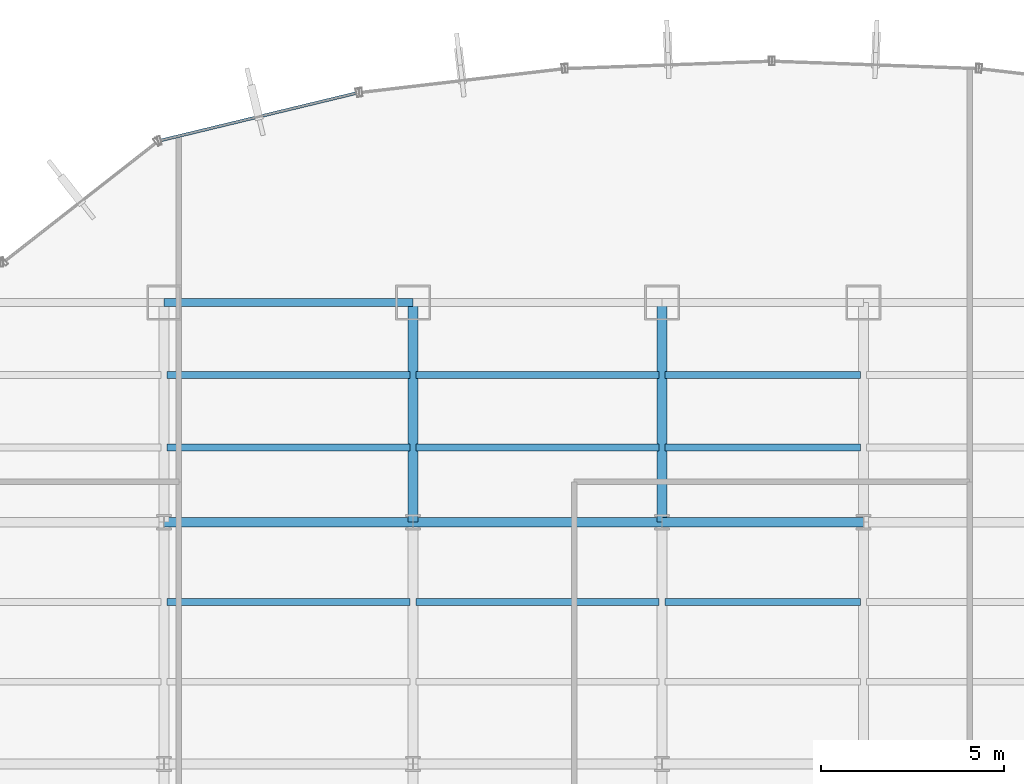
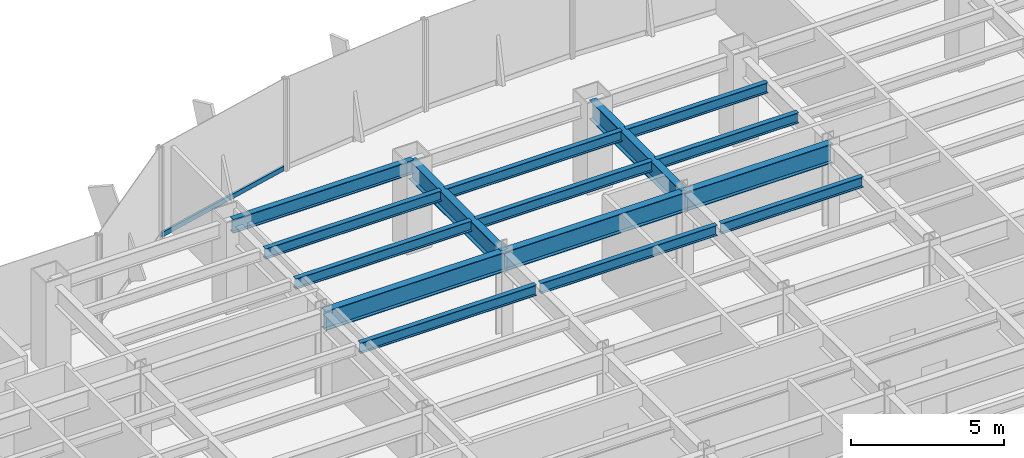
# One storey, part 11 of 22: 15 beams, 1 member, 1 element without a shape of its own.
"""IFC4 building model written with IfcOpenShell, lengths in metres."""

from ifc_helpers import new_model, si_unit, derived_unit, direction, frame, origin, origin_2d, place, context, subcontext, project, spatial, hollow_rectangle, i_section, extrude, source, transform, mapped, material, material_profile, profile_set, type_object, element, aggregate, save


model = new_model("IFC4")

# Units and contexts
model_context = context("Model", 3, precision=1e-05, world=origin(), true_north=direction((0.0, 1.0)))
body_context = subcontext(model_context, "Body", "Model", "MODEL_VIEW")
ifc_project = project(units=[si_unit("LENGTHUNIT", "METRE"), si_unit("AREAUNIT", "SQUARE_METRE"), si_unit("VOLUMEUNIT", "CUBIC_METRE"), si_unit("PLANEANGLEUNIT", "RADIAN"), si_unit("MASSUNIT", "GRAM", prefix="KILO"), derived_unit("THERMALTRANSMITTANCEUNIT", [(si_unit("POWERUNIT", "WATT"), 1), (si_unit("LENGTHUNIT", "METRE"), -2), (si_unit("THERMODYNAMICTEMPERATUREUNIT", "KELVIN"), -1)])], contexts=[model_context])

# Site, building, storey
site_placement = place(None, origin())
site = spatial("IfcSite", under=ifc_project, at=site_placement, CompositionType="ELEMENT")
building_placement = place(site_placement, origin())
building = spatial("IfcBuilding", under=site, at=building_placement, Name="Skarnbrae Concourse Arena and Tower", CompositionType="ELEMENT")
storey_placement = place(building_placement, frame((0.0, 0.0, 32.5)))
storey = spatial("IfcBuildingStorey", under=building, at=storey_placement, Name="L06", CompositionType="ELEMENT", Elevation=32.5)

# Beams
ifc_material_1 = material(Name="Steel CSA G40.21 350W", Category="steel")
ifc_material_profile_1 = material_profile(ifc_material_1, i_section(OverallWidth=0.26806640625, OverallDepth=0.77001953125, WebThickness=0.015625, FlangeThickness=0.025390625, at=origin_2d()), Name="W760X196")
ifc_profile_set_1 = profile_set([ifc_material_profile_1], Name="Steel CSA G40.21 350W")
beam_type_1 = type_object("IfcBeamType", Name="BM-GIRD-W760X196", PredefinedType="BEAM", material=ifc_profile_set_1)
shared_shape_1 = source(origin(), body_context, "Body", "SweptSolid", [
    extrude(i_section(OverallWidth=0.26806640625, OverallDepth=0.77001953125, WebThickness=0.015625, FlangeThickness=0.025390625, at=origin_2d()), origin(), (0.0, 0.0, 1.0), 6.800048828125),
])
for number, where, z_axis, x_axis, name in (
    (1, (14.39990234375, 34.39990234375, 3.014892578125), (1.0, 0.0, 0.0), (0.0, 1.0, 0.0), "L06 Primary E-W girder Y34.4-3"),
    (2, (21.199951171875, 34.39990234375, 3.014892578125), (1.0, 0.0, 0.0), (0.0, 1.0, 0.0), "L06 Primary E-W girder Y34.4-4"),
):
    element("IfcBeam", number, at=place(storey_placement, frame(where, z_axis=z_axis, x_axis=x_axis)), inside=storey, type_object=beam_type_1, Name=name, PredefinedType="BEAM", context=body_context, shape_type="MappedRepresentation", body=[
        mapped(shared_shape_1, transform((0.0, 0.0, 0.0))),
    ])
shared_shape_2 = source(origin(), body_context, "Body", "SweptSolid", [
    extrude(i_section(OverallWidth=0.26806640625, OverallDepth=0.77001953125, WebThickness=0.015625, FlangeThickness=0.025390625, at=origin_2d()), origin(), (0.0, 0.0, 1.0), 5.5),
])
beam_1_placement = place(storey_placement, frame((28.0, 34.39990234375, 3.014892578125), z_axis=(1.0, 0.0, 0.0), x_axis=(0.0, 1.0, 0.0)))
element("IfcBeam", 3, at=beam_1_placement, inside=storey, type_object=beam_type_1, Name="L06 Primary E-W girder Y34.4-5", PredefinedType="BEAM", context=body_context, shape_type="MappedRepresentation", body=[
    mapped(shared_shape_2, transform((0.0, 0.0, 0.0))),
])
shared_shape_3 = source(origin(), body_context, "Body", "SweptSolid", [
    extrude(i_section(OverallWidth=0.26806640625, OverallDepth=0.77001953125, WebThickness=0.015625, FlangeThickness=0.025390625, at=origin_2d()), origin(), (0.0, 0.0, 1.0), 6.0),
])
for number, where, z_axis, x_axis, name in (
    (4, (21.199951171875, 34.39990234375, 3.014892578125), (0.0, 1.0, 0.0), (-1.0, 0.0, 0.0), "L06 Primary N-S girder X21.2-4"),
    (5, (28.0, 34.39990234375, 3.014892578125), (0.0, 1.0, 0.0), (-1.0, 0.0, 0.0), "L06 Primary N-S girder X28.0-4"),
):
    element("IfcBeam", number, at=place(storey_placement, frame(where, z_axis=z_axis, x_axis=x_axis)), inside=storey, type_object=beam_type_1, Name=name, PredefinedType="BEAM", context=body_context, shape_type="MappedRepresentation", body=[
        mapped(shared_shape_3, transform((0.0, 0.0, 0.0))),
    ])
ifc_material_profile_2 = material_profile(ifc_material_1, i_section(OverallWidth=0.214111328125, OverallDepth=0.549072265625, WebThickness=0.0146484375, FlangeThickness=0.023681640625, at=origin_2d()), Name="W530X138")
ifc_profile_set_2 = profile_set([ifc_material_profile_2], Name="Steel CSA G40.21 350W")
beam_type_2 = type_object("IfcBeamType", Name="BM-SPAN-W530X138", PredefinedType="SPANDREL", material=ifc_profile_set_2)
shared_shape_4 = source(origin(), body_context, "Body", "SweptSolid", [
    extrude(i_section(OverallWidth=0.214111328125, OverallDepth=0.549072265625, WebThickness=0.0146484375, FlangeThickness=0.023681640625, at=origin_2d()), origin(), (0.0, 0.0, 1.0), 6.800048828125),
])
beam_2_placement = place(storey_placement, frame((14.39990234375, 40.39990234375, 3.12548828125), z_axis=(1.0, 0.0, 0.0), x_axis=(0.0, 1.0, 0.0)))
element("IfcBeam", 6, at=beam_2_placement, inside=storey, type_object=beam_type_2, Name="L06 Perimeter spandrel Y40.4-2", PredefinedType="SPANDREL", context=body_context, shape_type="MappedRepresentation", body=[
    mapped(shared_shape_4, transform((0.0, 0.0, 0.0))),
])
ifc_material_profile_3 = material_profile(ifc_material_1, i_section(OverallWidth=0.180908203125, OverallDepth=0.4169921875, WebThickness=0.010986328125, FlangeThickness=0.018310546875, at=origin_2d()), Name="W410X85")
ifc_profile_set_3 = profile_set([ifc_material_profile_3], Name="Steel CSA G40.21 350W")
beam_type_3 = type_object("IfcBeamType", Name="BM-JOIST-W410X85", PredefinedType="JOIST", material=ifc_profile_set_3)
shared_shape_5 = source(origin(), body_context, "Body", "SweptSolid", [
    extrude(i_section(OverallWidth=0.180908203125, OverallDepth=0.4169921875, WebThickness=0.010986328125, FlangeThickness=0.018310546875, at=origin_2d()), origin(), (0.0, 0.0, 1.0), 6.64013671875),
])
for number, where, z_axis, x_axis, name in (
    (7, (14.47998046875, 32.221923828125, 3.19140625), (1.0, 0.0, 0.0), (0.0, 1.0, 0.0), "L06 Secondary floor joist 3.2.3"),
    (8, (14.47998046875, 36.43994140625, 3.19140625), (1.0, 0.0, 0.0), (0.0, 1.0, 0.0), "L06 Secondary floor joist 4.1.2"),
    (9, (14.47998046875, 38.419921875, 3.19140625), (1.0, 0.0, 0.0), (0.0, 1.0, 0.0), "L06 Secondary floor joist 4.2.2"),
):
    element("IfcBeam", number, at=place(storey_placement, frame(where, z_axis=z_axis, x_axis=x_axis)), inside=storey, type_object=beam_type_3, Name=name, PredefinedType="JOIST", context=body_context, shape_type="MappedRepresentation", body=[
        mapped(shared_shape_5, transform((0.0, 0.0, 0.0))),
    ])
shared_shape_6 = source(origin(), body_context, "Body", "SweptSolid", [
    extrude(i_section(OverallWidth=0.180908203125, OverallDepth=0.4169921875, WebThickness=0.010986328125, FlangeThickness=0.018310546875, at=origin_2d()), origin(), (0.0, 0.0, 1.0), 6.639892578125),
])
for number, where, z_axis, x_axis, name in (
    (10, (21.280029296875, 32.221923828125, 3.19140625), (1.0, 0.0, 0.0), (0.0, 1.0, 0.0), "L06 Secondary floor joist 3.2.4"),
    (11, (21.280029296875, 36.43994140625, 3.19140625), (1.0, 0.0, 0.0), (0.0, 1.0, 0.0), "L06 Secondary floor joist 4.1.3"),
    (12, (21.280029296875, 38.419921875, 3.19140625), (1.0, 0.0, 0.0), (0.0, 1.0, 0.0), "L06 Secondary floor joist 4.2.3"),
):
    element("IfcBeam", number, at=place(storey_placement, frame(where, z_axis=z_axis, x_axis=x_axis)), inside=storey, type_object=beam_type_3, Name=name, PredefinedType="JOIST", context=body_context, shape_type="MappedRepresentation", body=[
        mapped(shared_shape_6, transform((0.0, 0.0, 0.0))),
    ])
shared_shape_7 = source(origin(), body_context, "Body", "SweptSolid", [
    extrude(i_section(OverallWidth=0.180908203125, OverallDepth=0.4169921875, WebThickness=0.010986328125, FlangeThickness=0.018310546875, at=origin_2d()), origin(), (0.0, 0.0, 1.0), 5.33984375),
])
for number, where, z_axis, x_axis, name in (
    (13, (28.080078125, 32.221923828125, 3.19140625), (1.0, 0.0, 0.0), (0.0, 1.0, 0.0), "L06 Secondary floor joist 3.2.5"),
    (14, (28.080078125, 36.43994140625, 3.19140625), (1.0, 0.0, 0.0), (0.0, 1.0, 0.0), "L06 Secondary floor joist 4.1.4"),
    (15, (28.080078125, 38.419921875, 3.19140625), (1.0, 0.0, 0.0), (0.0, 1.0, 0.0), "L06 Secondary floor joist 4.2.4"),
):
    element("IfcBeam", number, at=place(storey_placement, frame(where, z_axis=z_axis, x_axis=x_axis)), inside=storey, type_object=beam_type_3, Name=name, PredefinedType="JOIST", context=body_context, shape_type="MappedRepresentation", body=[
        mapped(shared_shape_7, transform((0.0, 0.0, 0.0))),
    ])

# Curtain wall, member
ifc_material_2 = material(Name="Bronze anodised aluminium 6063-T6", Category="aluminium")
curtain_wall_type = type_object("IfcCurtainWallType", Name="CW-SYS-02-LOWZONE", PredefinedType="USERDEFINED", material=ifc_material_2)
curtain_wall_placement = place(storey_placement, origin())
curtain_wall = element("IfcCurtainWall", 16, at=curtain_wall_placement, inside=storey, type_object=curtain_wall_type, Name="L06 Unitised curtain wall CW-L06-E14", ObjectType="UNITISED CURTAIN WALL", PredefinedType="USERDEFINED")
ifc_material_profile_4 = material_profile(ifc_material_2, hollow_rectangle(XDim=0.080078125, YDim=0.18994140625, WallThickness=0.0048828125, at=origin_2d()), Name="ALU-TRAN-80X190")
ifc_profile_set_4 = profile_set([ifc_material_profile_4], Name="Bronze anodised aluminium 6063-T6")
member_type = type_object("IfcMemberType", Name="CWT-CW-02", PredefinedType="USERDEFINED", material=ifc_profile_set_4)
shared_shape_8 = source(origin(), body_context, "Body", "SweptSolid", [
    extrude(hollow_rectangle(XDim=0.080078125, YDim=0.18994140625, WallThickness=0.0048828125, at=origin_2d()), origin(), (0.0, 0.0, 1.0), 5.4921875),
])
member_placement = place(storey_placement, frame((19.64990234375, 46.12158203125, 0.094970703125), z_axis=(-0.971980728004, -0.235060554728, 0.0), x_axis=(0.235060554728, -0.971980728004, 0.0)))
member = element("IfcMember", 17, at=member_placement, type_object=member_type, Name="CW-L06-E14 Transom 1", ObjectType="TRANSOM", PredefinedType="USERDEFINED", context=body_context, shape_type="MappedRepresentation", body=[
    mapped(shared_shape_8, transform((0.0, 0.0, 0.0))),
])
aggregate(curtain_wall, [member])

save(model, "model.ifc")
